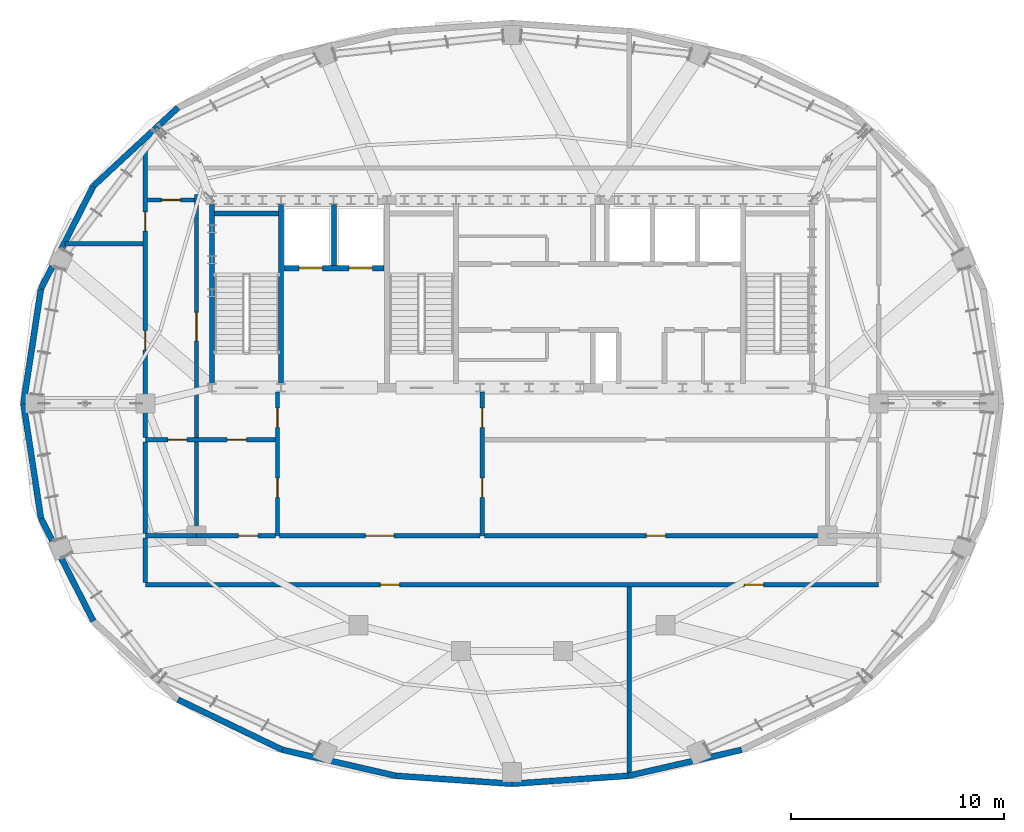
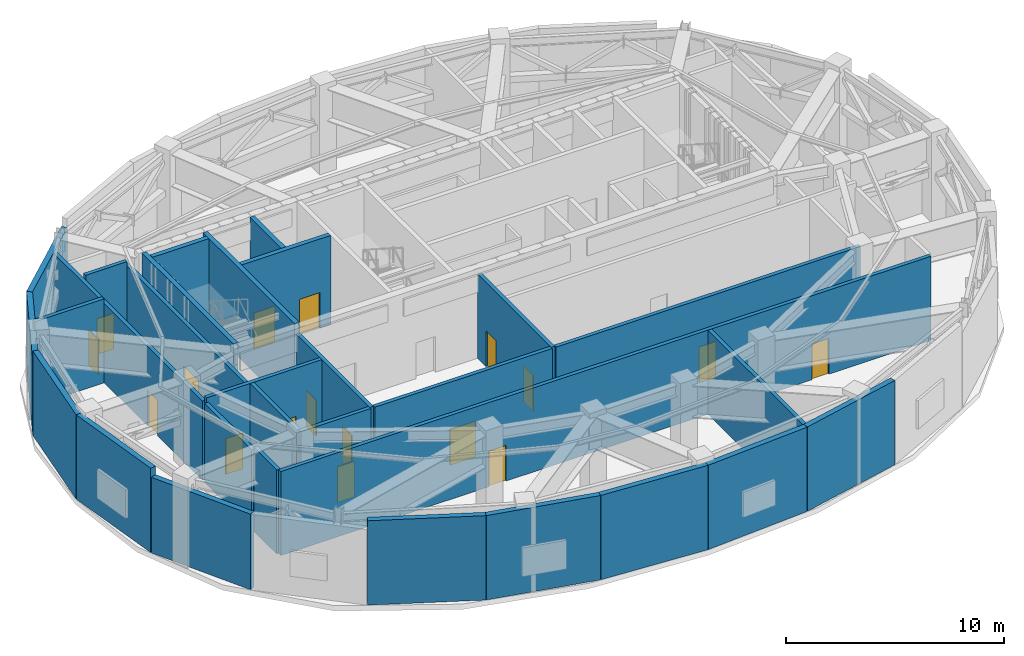
# One storey, part 10 of 15: 31 walls, 17 doors, 17 openings.
"""IFC4 building model written with IfcOpenShell, lengths in metres."""

from ifc_helpers import new_model, si_unit, direction, frame, frame_2d, origin, place, context, subcontext, project, spatial, rectangle, extrude, material, layer, layer_set, type_object, element, fill, save


model = new_model("IFC4")

# Units and contexts
model_context = context("Model", 3, precision=1e-05, world=origin(), true_north=direction((0.0, 1.0)))
body_context = subcontext(model_context, "Body", "Model", "MODEL_VIEW")
ifc_project = project(units=[si_unit("LENGTHUNIT", "METRE"), si_unit("AREAUNIT", "SQUARE_METRE"), si_unit("VOLUMEUNIT", "CUBIC_METRE"), si_unit("PLANEANGLEUNIT", "RADIAN"), si_unit("MASSUNIT", "GRAM", prefix="KILO")], contexts=[model_context])

# Site, building, storey
site_placement = place(None, origin())
site = spatial("IfcSite", under=ifc_project, at=site_placement, CompositionType="ELEMENT")
building_placement = place(site_placement, origin())
building = spatial("IfcBuilding", under=site, at=building_placement, Name="Haldorwick Loom Tower", CompositionType="ELEMENT")
storey_placement = place(building_placement, frame((0.0, 0.0, 286.5)))
storey = spatial("IfcBuildingStorey", under=building, at=storey_placement, Name="L77", CompositionType="ELEMENT", Elevation=286.5)

# Walls
ifc_material_1 = material(Name="Pressed Clay Face Brick and Insulated Masonry Backup Assembly", Category="masonry")
ifc_layer_1 = layer(ifc_material_1, 0.280029296875, Name="Pressed Clay Face Brick and Insulated Masonry Backup Assembly", Category="masonry")
ifc_layer_set_1 = layer_set([ifc_layer_1], Name="Pressed Clay Face Brick and Insulated Masonry Backup Assembly")
wall_type_1 = type_object("IfcWallType", Name="ARC-WL-EXT280", PredefinedType="STANDARD", material=ifc_layer_set_1)
for number, where, z_axis, x_axis, name in (
    (1, (20.3291015625, 39.885009765625, 0.0), (0.0, 0.0, 1.0), (-0.733156506145, -0.680059951399, 0.0), "L77 Brick Pier and Spandrel Wall 10"),
    (2, (16.361328125, 36.20458984375, 0.0), (0.0, 0.0, 1.0), (-0.454417014044, -0.890789075678, 0.0), "L77 Brick Pier and Spandrel Wall 11"),
):
    element("IfcWall", number, at=place(storey_placement, frame(where, z_axis=z_axis, x_axis=x_axis)), inside=storey, type_object=wall_type_1, Name=name, PredefinedType="STANDARD", context=body_context, shape_type="SweptSolid", body=[
        extrude(rectangle(XDim=5.411865234375, YDim=0.280029296875, at=frame_2d((2.7060546875, 0.0))), origin(), (0.0, 0.0, 1.0), 4.22900390625),
    ])
for number, where, z_axis, x_axis, name in (
    (3, (13.902099609375, 31.3837890625, 0.0), (0.0, 0.0, 1.0), (-0.151110573005, -0.988516866182, 0.0), "L77 Brick Pier and Spandrel Wall 12"),
    (4, (13.0791015625, 26.0, 0.0), (0.0, 0.0, 1.0), (0.151110573005, -0.988516866182, 0.0), "L77 Brick Pier and Spandrel Wall 13"),
):
    element("IfcWall", number, at=place(storey_placement, frame(where, z_axis=z_axis, x_axis=x_axis)), inside=storey, type_object=wall_type_1, Name=name, PredefinedType="STANDARD", context=body_context, shape_type="SweptSolid", body=[
        extrude(rectangle(XDim=5.4462890625, YDim=0.280029296875, at=frame_2d((2.72314453125, 0.0))), origin(), (0.0, 0.0, 1.0), 4.719970703125),
    ])
wall_1_placement = place(storey_placement, frame((13.902099609375, 20.6162109375, 0.0), z_axis=(0.0, 0.0, 1.0), x_axis=(0.454417014044, -0.890789075678, 0.0)))
element("IfcWall", 5, at=wall_1_placement, inside=storey, type_object=wall_type_1, Name="L77 Brick Pier and Spandrel Wall 14", PredefinedType="STANDARD", context=body_context, shape_type="SweptSolid", body=[
    extrude(rectangle(XDim=5.411865234375, YDim=0.280029296875, at=frame_2d((2.7060546875, 0.0))), origin(), (0.0, 0.0, 1.0), 4.22900390625),
])
wall_2_placement = place(storey_placement, frame((20.3291015625, 12.114990234375, 0.0), z_axis=(0.0, 0.0, 1.0), x_axis=(0.901083511605, -0.433645598518, 0.0)))
element("IfcWall", 6, at=wall_2_placement, inside=storey, type_object=wall_type_1, Name="L77 Brick Pier and Spandrel Wall 16", PredefinedType="STANDARD", context=body_context, shape_type="SweptSolid", body=[
    extrude(rectangle(XDim=5.440185546875, YDim=0.280029296875, at=frame_2d((2.72021484375, 0.0))), origin(), (0.0, 0.0, 1.0), 4.719970703125),
])
wall_3_placement = place(storey_placement, frame((25.231201171875, 9.755859375, 0.0), z_axis=(0.0, 0.0, 1.0), x_axis=(0.974769032237, -0.223215890545, 0.0)))
element("IfcWall", 7, at=wall_3_placement, inside=storey, type_object=wall_type_1, Name="L77 Brick Pier and Spandrel Wall 17", PredefinedType="STANDARD", context=body_context, shape_type="SweptSolid", body=[
    extrude(rectangle(XDim=5.457763671875, YDim=0.280029296875, at=frame_2d((2.72900390625, 0.0))), origin(), (0.0, 0.0, 1.0), 4.719970703125),
])
for number, where, z_axis, x_axis, name in (
    (8, (30.55126953125, 8.53759765625, 0.0), (0.0, 0.0, 1.0), (0.997667530395, -0.068260521503, 0.0), "L77 Brick Pier and Spandrel Wall 18"),
    (9, (36.0, 8.164794921875, 0.0), (0.0, 0.0, 1.0), (0.997667530395, 0.068260521503, 0.0), "L77 Brick Pier and Spandrel Wall 19"),
):
    element("IfcWall", number, at=place(storey_placement, frame(where, z_axis=z_axis, x_axis=x_axis)), inside=storey, type_object=wall_type_1, Name=name, PredefinedType="STANDARD", context=body_context, shape_type="SweptSolid", body=[
        extrude(rectangle(XDim=5.46142578125, YDim=0.280029296875, at=frame_2d((2.730712890625, 0.0))), origin(), (0.0, 0.0, 1.0), 4.719970703125),
    ])
wall_4_placement = place(storey_placement, frame((41.44873046875, 8.53759765625, 0.0), z_axis=(0.0, 0.0, 1.0), x_axis=(0.974769032237, 0.223215890545, 0.0)))
element("IfcWall", 10, at=wall_4_placement, inside=storey, type_object=wall_type_1, Name="L77 Brick Pier and Spandrel Wall 20", PredefinedType="STANDARD", context=body_context, shape_type="SweptSolid", body=[
    extrude(rectangle(XDim=5.457763671875, YDim=0.280029296875, at=frame_2d((2.72900390625, 0.0))), origin(), (0.0, 0.0, 1.0), 4.719970703125),
])

# Wall, openings, doors
ifc_material_2 = material(Name="Fire-Rated Type X Gypsum Stud Assembly EI 120")
ifc_layer_2 = layer(ifc_material_2, 0.199951171875, Name="Fire-Rated Type X Gypsum Stud Assembly EI 120")
ifc_layer_set_2 = layer_set([ifc_layer_2], Name="Fire-Rated Type X Gypsum Stud Assembly EI 120")
wall_type_2 = type_object("IfcWallType", Name="ARC-WL-FIRE200", PredefinedType="PARTITIONING", material=ifc_layer_set_2)
wall_5_placement = place(storey_placement, frame((25.0, 19.800048828125, 0.0), z_axis=(0.0, 0.0, 1.0), x_axis=(0.0, 1.0, 0.0)))
wall_5 = element("IfcWall", 11, at=wall_5_placement, inside=storey, type_object=wall_type_2, Name="L77 Interior Partition L77-REF-W", PredefinedType="PARTITIONING", context=body_context, shape_type="SweptSolid", body=[
    extrude(rectangle(XDim=6.7470703125, YDim=0.199951171875, at=frame_2d((3.37353515625, 0.0))), origin(), (0.0, 0.0, 1.0), 4.705078125),
])
opening_1_placement = place(wall_5_placement, frame((5.085205078125, 0.0, 0.0)))
opening_1 = element("IfcOpeningElement", 12, at=opening_1_placement, cuts=wall_5, Name="Opening D-FD60A", PredefinedType="OPENING", context=body_context, shape_type="SweptSolid", body=[
    extrude(rectangle(XDim=0.89990234375, YDim=2.0, at=frame_2d((0.449951171875, 1.0))), frame((0.0, 0.10986328125, 0.0), z_axis=(0.0, -1.0, 0.0), x_axis=(1.0, 0.0, 0.0)), (0.0, 0.0, 1.0), 0.219970703125),
])
opening_2_placement = place(wall_5_placement, frame((1.799072265625, 0.0, 0.0)))
opening_2 = element("IfcOpeningElement", 13, at=opening_2_placement, cuts=wall_5, Name="Opening D-FD60A", PredefinedType="OPENING", context=body_context, shape_type="SweptSolid", body=[
    extrude(rectangle(XDim=0.89990234375, YDim=2.0, at=frame_2d((0.449951171875, 1.0))), frame((0.0, 0.10986328125, 0.0), z_axis=(0.0, -1.0, 0.0), x_axis=(1.0, 0.0, 0.0)), (0.0, 0.0, 1.0), 0.219970703125),
])
ifc_material_3 = material(Name="Hollow Steel Fire Door Assembly", Category="steel")
door_type_1 = type_object("IfcDoorType", Name="ARC-DR-FD60-90", OperationType="NOTDEFINED", PredefinedType="DOOR", material=ifc_material_3)
door_1_placement = place(opening_1_placement, origin())
door_1 = element("IfcDoor", 14, at=door_1_placement, inside=storey, type_object=door_type_1, Name="L77 West Refuge Vestibule to Area of Refuge Door", OperationType="SINGLE_SWING_RIGHT", OverallHeight=2.0, OverallWidth=0.89990234375, PredefinedType="DOOR", context=body_context, shape_type="SweptSolid", body=[
    extrude(rectangle(XDim=0.89990234375, YDim=2.0, at=frame_2d((0.449951171875, 1.0))), frame((0.0, 0.02490234375, 0.0), z_axis=(0.0, -1.0, 0.0), x_axis=(1.0, 0.0, 0.0)), (0.0, 0.0, 1.0), 0.050048828125),
])
fill(opening_1, door_1)
door_2_placement = place(opening_2_placement, frame((0.89990234375, 0.0, 0.0), z_axis=(0.0, 0.0, 1.0), x_axis=(-1.0, 0.0, 0.0)))
door_2 = element("IfcDoor", 15, at=door_2_placement, inside=storey, type_object=door_type_1, Name="L77 Mechanical Equipment Plant 5 to Area of Refuge Door", OperationType="SINGLE_SWING_RIGHT", OverallHeight=2.0, OverallWidth=0.89990234375, PredefinedType="DOOR", context=body_context, shape_type="SweptSolid", body=[
    extrude(rectangle(XDim=0.89990234375, YDim=2.0, at=frame_2d((0.449951171875, 1.0))), frame((0.0, 0.02490234375, 0.0), z_axis=(0.0, -1.0, 0.0), x_axis=(1.0, 0.0, 0.0)), (0.0, 0.0, 1.0), 0.050048828125),
])
fill(opening_2, door_2)

wall_6_placement = place(storey_placement, frame((34.60009765625, 19.800048828125, 0.0), z_axis=(0.0, 0.0, 1.0), x_axis=(0.0, 1.0, 0.0)))
wall_6 = element("IfcWall", 16, at=wall_6_placement, inside=storey, type_object=wall_type_2, Name="L77 Interior Partition L77-REF-E", PredefinedType="PARTITIONING", context=body_context, shape_type="SweptSolid", body=[
    extrude(rectangle(XDim=6.7470703125, YDim=0.199951171875, at=frame_2d((3.37353515625, 0.0))), origin(), (0.0, 0.0, 1.0), 4.705078125),
])
opening_3_placement = place(wall_6_placement, frame((5.085205078125, 0.0, 0.0)))
opening_3 = element("IfcOpeningElement", 17, at=opening_3_placement, cuts=wall_6, Name="Opening D-FD60A", PredefinedType="OPENING", context=body_context, shape_type="SweptSolid", body=[
    extrude(rectangle(XDim=0.89990234375, YDim=2.0, at=frame_2d((0.449951171875, 1.0))), frame((0.0, 0.10986328125, 0.0), z_axis=(0.0, -1.0, 0.0), x_axis=(1.0, 0.0, 0.0)), (0.0, 0.0, 1.0), 0.219970703125),
])
opening_4_placement = place(wall_6_placement, frame((1.799072265625, 0.0, 0.0)))
opening_4 = element("IfcOpeningElement", 18, at=opening_4_placement, cuts=wall_6, Name="Opening D-FD60A", PredefinedType="OPENING", context=body_context, shape_type="SweptSolid", body=[
    extrude(rectangle(XDim=0.89990234375, YDim=2.0, at=frame_2d((0.449951171875, 1.0))), frame((0.0, 0.10986328125, 0.0), z_axis=(0.0, -1.0, 0.0), x_axis=(1.0, 0.0, 0.0)), (0.0, 0.0, 1.0), 0.219970703125),
])
door_3_placement = place(opening_3_placement, origin())
door_3 = element("IfcDoor", 19, at=door_3_placement, inside=storey, type_object=door_type_1, Name="L77 Area of Refuge to East Plant Exit Corridor Door", OperationType="SINGLE_SWING_LEFT", OverallHeight=2.0, OverallWidth=0.89990234375, PredefinedType="DOOR", context=body_context, shape_type="SweptSolid", body=[
    extrude(rectangle(XDim=0.89990234375, YDim=2.0, at=frame_2d((0.449951171875, 1.0))), frame((0.0, 0.02490234375, 0.0), z_axis=(0.0, -1.0, 0.0), x_axis=(1.0, 0.0, 0.0)), (0.0, 0.0, 1.0), 0.050048828125),
])
fill(opening_3, door_3)
door_4_placement = place(opening_4_placement, origin())
door_4 = element("IfcDoor", 20, at=door_4_placement, inside=storey, type_object=door_type_1, Name="L77 Area of Refuge to Electrical Transformer Room 6 Door", OperationType="SINGLE_SWING_LEFT", OverallHeight=2.0, OverallWidth=0.89990234375, PredefinedType="DOOR", context=body_context, shape_type="SweptSolid", body=[
    extrude(rectangle(XDim=0.89990234375, YDim=2.0, at=frame_2d((0.449951171875, 1.0))), frame((0.0, 0.02490234375, 0.0), z_axis=(0.0, -1.0, 0.0), x_axis=(1.0, 0.0, 0.0)), (0.0, 0.0, 1.0), 0.050048828125),
])
fill(opening_4, door_4)

# Wall, opening, door
wall_7_placement = place(storey_placement, frame((25.10302734375, 19.800048828125, 0.0), z_axis=(0.0, 0.0, 1.0), x_axis=(1.0, 0.0, 0.0)))
wall_7 = element("IfcWall", 21, at=wall_7_placement, inside=storey, type_object=wall_type_2, Name="L77 Interior Partition L77-REF-S", PredefinedType="PARTITIONING", context=body_context, shape_type="SweptSolid", body=[
    extrude(rectangle(XDim=9.39404296875, YDim=0.199951171875, at=frame_2d((4.697021484375, 0.0))), origin(), (0.0, 0.0, 1.0), 4.705078125),
])
opening_5_placement = place(wall_7_placement, frame((4.02197265625, 0.0, 0.0)))
opening_5 = element("IfcOpeningElement", 22, at=opening_5_placement, cuts=wall_7, Name="Opening D-CR15", PredefinedType="OPENING", context=body_context, shape_type="SweptSolid", body=[
    extrude(rectangle(XDim=1.35009765625, YDim=2.0, at=frame_2d((0.675048828125, 1.0))), frame((0.0, 0.10986328125, 0.0), z_axis=(0.0, -1.0, 0.0), x_axis=(1.0, 0.0, 0.0)), (0.0, 0.0, 1.0), 0.219970703125),
])
ifc_material_4 = material(Name="Thermally Broken Anodized Aluminium and Tempered Glass", Category="aluminium")
door_type_2 = type_object("IfcDoorType", Name="ARC-DR-COR150", OperationType="NOTDEFINED", PredefinedType="DOOR", material=ifc_material_4)
door_5_placement = place(opening_5_placement, origin())
door_5 = element("IfcDoor", 23, at=door_5_placement, inside=storey, type_object=door_type_2, Name="L77 Area of Refuge to South Plant Service Corridor Door", OperationType="DOUBLE_DOOR_SINGLE_SWING", OverallHeight=2.0, OverallWidth=1.35009765625, PredefinedType="DOOR", context=body_context, shape_type="SweptSolid", body=[
    extrude(rectangle(XDim=1.35009765625, YDim=2.0, at=frame_2d((0.675048828125, 1.0))), frame((0.0, 0.02490234375, 0.0), z_axis=(0.0, -1.0, 0.0), x_axis=(1.0, 0.0, 0.0)), (0.0, 0.0, 1.0), 0.050048828125),
])
fill(opening_5, door_5)

# Wall, openings, doors
wall_8_placement = place(storey_placement, frame((18.800048828125, 17.5, 0.0), z_axis=(0.0, 0.0, 1.0), x_axis=(1.0, 0.0, 0.0)))
wall_8 = element("IfcWall", 24, at=wall_8_placement, inside=storey, type_object=wall_type_2, Name="L77 Interior Partition L77-PC-S1", PredefinedType="PARTITIONING", context=body_context, shape_type="SweptSolid", body=[
    extrude(rectangle(XDim=34.39990234375, YDim=0.199951171875, at=frame_2d((17.199951171875, 0.0))), origin(), (0.0, 0.0, 1.0), 4.705078125),
])
opening_6_placement = place(wall_8_placement, frame((11.026123046875, 0.0, 0.0)))
opening_6 = element("IfcOpeningElement", 25, at=opening_6_placement, cuts=wall_8, Name="Opening D-FD60A", PredefinedType="OPENING", context=body_context, shape_type="SweptSolid", body=[
    extrude(rectangle(XDim=0.89990234375, YDim=2.0, at=frame_2d((0.449951171875, 1.0))), frame((0.0, 0.10986328125, 0.0), z_axis=(0.0, -1.0, 0.0), x_axis=(1.0, 0.0, 0.0)), (0.0, 0.0, 1.0), 0.219970703125),
])
opening_7_placement = place(wall_8_placement, frame((28.1064453125, 0.0, 0.0)))
opening_7 = element("IfcOpeningElement", 26, at=opening_7_placement, cuts=wall_8, Name="Opening D-FD60A", PredefinedType="OPENING", context=body_context, shape_type="SweptSolid", body=[
    extrude(rectangle(XDim=0.89990234375, YDim=2.0, at=frame_2d((0.449951171875, 1.0))), frame((0.0, 0.10986328125, 0.0), z_axis=(0.0, -1.0, 0.0), x_axis=(1.0, 0.0, 0.0)), (0.0, 0.0, 1.0), 0.219970703125),
])
door_6_placement = place(opening_6_placement, origin())
door_6 = element("IfcDoor", 27, at=door_6_placement, inside=storey, type_object=door_type_1, Name="L77 South Plant Service Corridor to Domestic Water Booster and Fire Pump", OperationType="SINGLE_SWING_RIGHT", OverallHeight=2.0, OverallWidth=0.89990234375, PredefinedType="DOOR", context=body_context, shape_type="SweptSolid", body=[
    extrude(rectangle(XDim=0.89990234375, YDim=2.0, at=frame_2d((0.449951171875, 1.0))), frame((0.0, 0.02490234375, 0.0), z_axis=(0.0, -1.0, 0.0), x_axis=(1.0, 0.0, 0.0)), (0.0, 0.0, 1.0), 0.050048828125),
])
fill(opening_6, door_6)
door_7_placement = place(opening_7_placement, origin())
door_7 = element("IfcDoor", 28, at=door_7_placement, inside=storey, type_object=door_type_1, Name="L77 South Plant Service Corridor to Air Handling Ventilation Plant Door", OperationType="SINGLE_SWING_LEFT", OverallHeight=2.0, OverallWidth=0.89990234375, PredefinedType="DOOR", context=body_context, shape_type="SweptSolid", body=[
    extrude(rectangle(XDim=0.89990234375, YDim=2.0, at=frame_2d((0.449951171875, 1.0))), frame((0.0, 0.02490234375, 0.0), z_axis=(0.0, -1.0, 0.0), x_axis=(1.0, 0.0, 0.0)), (0.0, 0.0, 1.0), 0.050048828125),
])
fill(opening_7, door_7)

wall_9_placement = place(storey_placement, frame((18.800048828125, 24.300048828125, 0.0), z_axis=(0.0, 0.0, 1.0), x_axis=(1.0, 0.0, 0.0)))
wall_9 = element("IfcWall", 29, at=wall_9_placement, inside=storey, type_object=wall_type_2, Name="L77 Interior Partition L77-PC-S3", PredefinedType="PARTITIONING", context=body_context, shape_type="SweptSolid", body=[
    extrude(rectangle(XDim=6.096923828125, YDim=0.199951171875, at=frame_2d((3.04833984375, 0.0))), origin(), (0.0, 0.0, 1.0), 4.705078125),
])
opening_8_placement = place(wall_9_placement, frame((3.840576171875, 0.0, 0.0)))
opening_8 = element("IfcOpeningElement", 30, at=opening_8_placement, cuts=wall_9, Name="Opening D-FD60A", PredefinedType="OPENING", context=body_context, shape_type="SweptSolid", body=[
    extrude(rectangle(XDim=0.89990234375, YDim=2.0, at=frame_2d((0.449951171875, 1.0))), frame((0.0, 0.10986328125, 0.0), z_axis=(0.0, -1.0, 0.0), x_axis=(1.0, 0.0, 0.0)), (0.0, 0.0, 1.0), 0.219970703125),
])
opening_9_placement = place(wall_9_placement, frame((1.058837890625, 0.0, 0.0)))
opening_9 = element("IfcOpeningElement", 31, at=opening_9_placement, cuts=wall_9, Name="Opening D-FD60A", PredefinedType="OPENING", context=body_context, shape_type="SweptSolid", body=[
    extrude(rectangle(XDim=0.89990234375, YDim=2.0, at=frame_2d((0.449951171875, 1.0))), frame((0.0, 0.10986328125, 0.0), z_axis=(0.0, -1.0, 0.0), x_axis=(1.0, 0.0, 0.0)), (0.0, 0.0, 1.0), 0.219970703125),
])
door_8_placement = place(opening_8_placement, origin())
door_8 = element("IfcDoor", 32, at=door_8_placement, inside=storey, type_object=door_type_1, Name="L77 West Refuge Vestibule to Mechanical Equipment Plant 5 Door", OperationType="SINGLE_SWING_LEFT", OverallHeight=2.0, OverallWidth=0.89990234375, PredefinedType="DOOR", context=body_context, shape_type="SweptSolid", body=[
    extrude(rectangle(XDim=0.89990234375, YDim=2.0, at=frame_2d((0.449951171875, 1.0))), frame((0.0, 0.02490234375, 0.0), z_axis=(0.0, -1.0, 0.0), x_axis=(1.0, 0.0, 0.0)), (0.0, 0.0, 1.0), 0.050048828125),
])
fill(opening_8, door_8)
door_9_placement = place(opening_9_placement, origin())
door_9 = element("IfcDoor", 33, at=door_9_placement, inside=storey, type_object=door_type_1, Name="L77 West Mechanical Corridor to Ventilation Fan Room 4 Door", OperationType="SINGLE_SWING_RIGHT", OverallHeight=2.0, OverallWidth=0.89990234375, PredefinedType="DOOR", context=body_context, shape_type="SweptSolid", body=[
    extrude(rectangle(XDim=0.89990234375, YDim=2.0, at=frame_2d((0.449951171875, 1.0))), frame((0.0, 0.02490234375, 0.0), z_axis=(0.0, -1.0, 0.0), x_axis=(1.0, 0.0, 0.0)), (0.0, 0.0, 1.0), 0.050048828125),
])
fill(opening_9, door_9)

# Wall
wall_10_placement = place(storey_placement, frame((18.800048828125, 19.800048828125, 0.0), z_axis=(0.0, 0.0, 1.0), x_axis=(1.0, 0.0, 0.0)))
element("IfcWall", 34, at=wall_10_placement, inside=storey, type_object=wall_type_2, Name="L77 Interior Partition L77-PC-S4W", PredefinedType="PARTITIONING", context=body_context, shape_type="SweptSolid", body=[
    extrude(rectangle(XDim=2.39990234375, YDim=0.199951171875, at=frame_2d((1.199951171875, 0.0))), origin(), (0.0, 0.0, 1.0), 2.89501953125),
])

# Wall, opening, door
wall_11_placement = place(storey_placement, frame((34.702880859375, 19.800048828125, 0.0), z_axis=(0.0, 0.0, 1.0), x_axis=(1.0, 0.0, 0.0)))
wall_11 = element("IfcWall", 35, at=wall_11_placement, inside=storey, type_object=wall_type_2, Name="L77 Interior Partition L77-PC-S4", PredefinedType="PARTITIONING", context=body_context, shape_type="SweptSolid", body=[
    extrude(rectangle(XDim=16.09716796875, YDim=0.199951171875, at=frame_2d((8.048583984375, 0.0))), origin(), (0.0, 0.0, 1.0), 4.705078125),
])
opening_10_placement = place(wall_11_placement, frame((7.598388671875, 0.0, 0.0)))
opening_10 = element("IfcOpeningElement", 36, at=opening_10_placement, cuts=wall_11, Name="Opening D-FD60A", PredefinedType="OPENING", context=body_context, shape_type="SweptSolid", body=[
    extrude(rectangle(XDim=0.89990234375, YDim=2.0, at=frame_2d((0.449951171875, 1.0))), frame((0.0, 0.10986328125, 0.0), z_axis=(0.0, -1.0, 0.0), x_axis=(1.0, 0.0, 0.0)), (0.0, 0.0, 1.0), 0.219970703125),
])
door_10_placement = place(opening_10_placement, frame((0.89990234375, 0.0, 0.0), z_axis=(0.0, 0.0, 1.0), x_axis=(-1.0, 0.0, 0.0)))
door_10 = element("IfcDoor", 37, at=door_10_placement, inside=storey, type_object=door_type_1, Name="L77 Electrical Transformer Room 6 to South Plant Service Corridor Door", OperationType="SINGLE_SWING_LEFT", OverallHeight=2.0, OverallWidth=0.89990234375, PredefinedType="DOOR", context=body_context, shape_type="SweptSolid", body=[
    extrude(rectangle(XDim=0.89990234375, YDim=2.0, at=frame_2d((0.449951171875, 1.0))), frame((0.0, 0.02490234375, 0.0), z_axis=(0.0, -1.0, 0.0), x_axis=(1.0, 0.0, 0.0)), (0.0, 0.0, 1.0), 0.050048828125),
])
fill(opening_10, door_10)

wall_12_placement = place(storey_placement, frame((21.199951171875, 19.800048828125, 0.0), z_axis=(0.0, 0.0, 1.0), x_axis=(1.0, 0.0, 0.0)))
wall_12 = element("IfcWall", 38, at=wall_12_placement, inside=storey, type_object=wall_type_2, Name="L77 Interior Partition L77-PC-S5", PredefinedType="PARTITIONING", context=body_context, shape_type="SweptSolid", body=[
    extrude(rectangle(XDim=3.697021484375, YDim=0.199951171875, at=frame_2d((1.8486328125, 0.0))), origin(), (0.0, 0.0, 1.0), 4.705078125),
])
opening_11_placement = place(wall_12_placement, frame((1.97314453125, 0.0, 0.0)))
opening_11 = element("IfcOpeningElement", 39, at=opening_11_placement, cuts=wall_12, Name="Opening D-FD60A", PredefinedType="OPENING", context=body_context, shape_type="SweptSolid", body=[
    extrude(rectangle(XDim=0.89990234375, YDim=2.0, at=frame_2d((0.449951171875, 1.0))), frame((0.0, 0.10986328125, 0.0), z_axis=(0.0, -1.0, 0.0), x_axis=(1.0, 0.0, 0.0)), (0.0, 0.0, 1.0), 0.219970703125),
])
door_11_placement = place(opening_11_placement, frame((0.89990234375, 0.0, 0.0), z_axis=(0.0, 0.0, 1.0), x_axis=(-1.0, 0.0, 0.0)))
door_11 = element("IfcDoor", 40, at=door_11_placement, inside=storey, type_object=door_type_1, Name="L77 Mechanical Equipment Plant 5 to South Plant Service Corridor Door", OperationType="SINGLE_SWING_RIGHT", OverallHeight=2.0, OverallWidth=0.89990234375, PredefinedType="DOOR", context=body_context, shape_type="SweptSolid", body=[
    extrude(rectangle(XDim=0.89990234375, YDim=2.0, at=frame_2d((0.449951171875, 1.0))), frame((0.0, 0.02490234375, 0.0), z_axis=(0.0, -1.0, 0.0), x_axis=(1.0, 0.0, 0.0)), (0.0, 0.0, 1.0), 0.050048828125),
])
fill(opening_11, door_11)

# Walls
wall_13_placement = place(storey_placement, frame((18.800048828125, 17.60302734375, 0.0), z_axis=(0.0, 0.0, 1.0), x_axis=(0.0, 1.0, 0.0)))
element("IfcWall", 41, at=wall_13_placement, inside=storey, type_object=wall_type_2, Name="L77 Interior Partition L77-PC-W1", PredefinedType="PARTITIONING", context=body_context, shape_type="SweptSolid", body=[
    extrude(rectangle(XDim=2.093994140625, YDim=0.199951171875, at=frame_2d((1.046875, 0.0))), origin(), (0.0, 0.0, 1.0), 4.705078125),
])
wall_14_placement = place(storey_placement, frame((18.800048828125, 19.903076171875, 0.0), z_axis=(0.0, 0.0, 1.0), x_axis=(0.0, 1.0, 0.0)))
element("IfcWall", 42, at=wall_14_placement, inside=storey, type_object=wall_type_2, Name="L77 Interior Partition L77-PC-W1", PredefinedType="PARTITIONING", context=body_context, shape_type="SweptSolid", body=[
    extrude(rectangle(XDim=4.2939453125, YDim=0.199951171875, at=frame_2d((2.14697265625, 0.0))), origin(), (0.0, 0.0, 1.0), 4.43701171875),
])

# Wall, openings, doors
wall_15_placement = place(storey_placement, frame((18.800048828125, 24.403076171875, 0.0), z_axis=(0.0, 0.0, 1.0), x_axis=(0.0, 1.0, 0.0)))
wall_15 = element("IfcWall", 43, at=wall_15_placement, inside=storey, type_object=wall_type_2, Name="L77 Interior Partition L77-PC-W1", PredefinedType="PARTITIONING", context=body_context, shape_type="SweptSolid", body=[
    extrude(rectangle(XDim=13.596923828125, YDim=0.199951171875, at=frame_2d((6.79833984375, 0.0))), origin(), (0.0, 0.0, 1.0), 4.43701171875),
])
opening_12_placement = place(wall_15_placement, frame((4.119384765625, 0.0, 0.0)))
opening_12 = element("IfcOpeningElement", 44, at=opening_12_placement, cuts=wall_15, Name="Opening D-FD60A", PredefinedType="OPENING", context=body_context, shape_type="SweptSolid", body=[
    extrude(rectangle(XDim=0.89990234375, YDim=2.0, at=frame_2d((0.449951171875, 1.0))), frame((0.0, 0.10986328125, 0.0), z_axis=(0.0, -1.0, 0.0), x_axis=(1.0, 0.0, 0.0)), (0.0, 0.0, 1.0), 0.219970703125),
])
opening_13_placement = place(wall_15_placement, frame((9.69189453125, 0.0, 0.0)))
opening_13 = element("IfcOpeningElement", 45, at=opening_13_placement, cuts=wall_15, Name="Opening D-FD60A", PredefinedType="OPENING", context=body_context, shape_type="SweptSolid", body=[
    extrude(rectangle(XDim=0.89990234375, YDim=2.0, at=frame_2d((0.449951171875, 1.0))), frame((0.0, 0.10986328125, 0.0), z_axis=(0.0, -1.0, 0.0), x_axis=(1.0, 0.0, 0.0)), (0.0, 0.0, 1.0), 0.219970703125),
])
door_12_placement = place(opening_12_placement, origin())
door_12 = element("IfcDoor", 46, at=door_12_placement, inside=storey, type_object=door_type_1, Name="L77 Domestic Water Booster and Fire Pump Room to West Mechanical Corrido", OperationType="SINGLE_SWING_RIGHT", OverallHeight=2.0, OverallWidth=0.89990234375, PredefinedType="DOOR", context=body_context, shape_type="SweptSolid", body=[
    extrude(rectangle(XDim=0.89990234375, YDim=2.0, at=frame_2d((0.449951171875, 1.0))), frame((0.0, 0.02490234375, 0.0), z_axis=(0.0, -1.0, 0.0), x_axis=(1.0, 0.0, 0.0)), (0.0, 0.0, 1.0), 0.050048828125),
])
fill(opening_12, door_12)
door_13_placement = place(opening_13_placement, origin())
door_13 = element("IfcDoor", 47, at=door_13_placement, inside=storey, type_object=door_type_1, Name="L77 Building Automation and Telecom Plant to West Mechanical Corridor Do", OperationType="SINGLE_SWING_RIGHT", OverallHeight=2.0, OverallWidth=0.89990234375, PredefinedType="DOOR", context=body_context, shape_type="SweptSolid", body=[
    extrude(rectangle(XDim=0.89990234375, YDim=2.0, at=frame_2d((0.449951171875, 1.0))), frame((0.0, 0.02490234375, 0.0), z_axis=(0.0, -1.0, 0.0), x_axis=(1.0, 0.0, 0.0)), (0.0, 0.0, 1.0), 0.050048828125),
])
fill(opening_13, door_13)

# Wall
wall_16_placement = place(storey_placement, frame((21.199951171875, 19.903076171875, 0.0), z_axis=(0.0, 0.0, 1.0), x_axis=(0.0, 1.0, 0.0)))
element("IfcWall", 48, at=wall_16_placement, inside=storey, type_object=wall_type_2, Name="L77 Interior Partition L77-PC-W2", PredefinedType="PARTITIONING", context=body_context, shape_type="SweptSolid", body=[
    extrude(rectangle(XDim=4.2939453125, YDim=0.199951171875, at=frame_2d((2.14697265625, 0.0))), origin(), (0.0, 0.0, 1.0), 4.705078125),
])

# Wall, opening, door
wall_17_placement = place(storey_placement, frame((21.199951171875, 24.403076171875, 0.0), z_axis=(0.0, 0.0, 1.0), x_axis=(0.0, 1.0, 0.0)))
wall_17 = element("IfcWall", 49, at=wall_17_placement, inside=storey, type_object=wall_type_2, Name="L77 Interior Partition L77-PC-W2", PredefinedType="PARTITIONING", context=body_context, shape_type="SweptSolid", body=[
    extrude(rectangle(XDim=11.39697265625, YDim=0.199951171875, at=frame_2d((5.698486328125, 0.0))), origin(), (0.0, 0.0, 1.0), 4.43701171875),
])
opening_14_placement = place(wall_17_placement, frame((4.529296875, 0.0, 0.0)))
opening_14 = element("IfcOpeningElement", 50, at=opening_14_placement, cuts=wall_17, Name="Opening D-CR15", PredefinedType="OPENING", context=body_context, shape_type="SweptSolid", body=[
    extrude(rectangle(XDim=1.35009765625, YDim=2.0, at=frame_2d((0.675048828125, 1.0))), frame((0.0, 0.10986328125, 0.0), z_axis=(0.0, -1.0, 0.0), x_axis=(1.0, 0.0, 0.0)), (0.0, 0.0, 1.0), 0.219970703125),
])
door_14_placement = place(opening_14_placement, origin())
door_14 = element("IfcDoor", 51, at=door_14_placement, inside=storey, type_object=door_type_2, Name="L77 West Mechanical Corridor to West Refuge Vestibule Door", OperationType="DOUBLE_DOOR_SINGLE_SWING", OverallHeight=2.0, OverallWidth=1.35009765625, PredefinedType="DOOR", context=body_context, shape_type="SweptSolid", body=[
    extrude(rectangle(XDim=1.35009765625, YDim=2.0, at=frame_2d((0.675048828125, 1.0))), frame((0.0, 0.02490234375, 0.0), z_axis=(0.0, -1.0, 0.0), x_axis=(1.0, 0.0, 0.0)), (0.0, 0.0, 1.0), 0.050048828125),
])
fill(opening_14, door_14)

wall_18_placement = place(storey_placement, frame((18.903076171875, 35.550048828125, 0.0), z_axis=(0.0, 0.0, 1.0), x_axis=(1.0, 0.0, 0.0)))
wall_18 = element("IfcWall", 52, at=wall_18_placement, inside=storey, type_object=wall_type_2, Name="L77 Interior Partition L77-PC-WN", PredefinedType="PARTITIONING", context=body_context, shape_type="SweptSolid", body=[
    extrude(rectangle(XDim=2.19384765625, YDim=0.199951171875, at=frame_2d((1.096923828125, 0.0))), origin(), (0.0, 0.0, 1.0), 4.705078125),
])
opening_15_placement = place(wall_18_placement, frame((0.64697265625, 0.0, 0.0)))
opening_15 = element("IfcOpeningElement", 53, at=opening_15_placement, cuts=wall_18, Name="Opening D-FD60A", PredefinedType="OPENING", context=body_context, shape_type="SweptSolid", body=[
    extrude(rectangle(XDim=0.89990234375, YDim=2.0, at=frame_2d((0.449951171875, 1.0))), frame((0.0, 0.10986328125, 0.0), z_axis=(0.0, -1.0, 0.0), x_axis=(1.0, 0.0, 0.0)), (0.0, 0.0, 1.0), 0.219970703125),
])
door_15_placement = place(opening_15_placement, origin())
door_15 = element("IfcDoor", 54, at=door_15_placement, inside=storey, type_object=door_type_1, Name="L77 North Mechanical Corridor to West Mechanical Corridor Door", OperationType="SINGLE_SWING_RIGHT", OverallHeight=2.0, OverallWidth=0.89990234375, PredefinedType="DOOR", context=body_context, shape_type="SweptSolid", body=[
    extrude(rectangle(XDim=0.89990234375, YDim=2.0, at=frame_2d((0.449951171875, 1.0))), frame((0.0, 0.02490234375, 0.0), z_axis=(0.0, -1.0, 0.0), x_axis=(1.0, 0.0, 0.0)), (0.0, 0.0, 1.0), 0.050048828125),
])
fill(opening_15, door_15)

# Walls
wall_19_placement = place(storey_placement, frame((41.5, 8.595458984375, 0.0), z_axis=(0.0, 0.0, 1.0), x_axis=(0.0, 1.0, 0.0)))
element("IfcWall", 55, at=wall_19_placement, inside=storey, type_object=wall_type_2, Name="L77 Interior Partition L77-PL-S", PredefinedType="PARTITIONING", context=body_context, shape_type="SweptSolid", body=[
    extrude(rectangle(XDim=8.801513671875, YDim=0.199951171875, at=frame_2d((4.40087890625, 0.0))), origin(), (0.0, 0.0, 1.0), 4.705078125),
])
wall_20_placement = place(storey_placement, frame((15.0322265625, 33.5, 0.0), z_axis=(0.0, 0.0, 1.0), x_axis=(1.0, 0.0, 0.0)))
element("IfcWall", 56, at=wall_20_placement, inside=storey, type_object=wall_type_2, Name="L77 Interior Partition L77-PL-W", PredefinedType="PARTITIONING", context=body_context, shape_type="SweptSolid", body=[
    extrude(rectangle(XDim=3.664794921875, YDim=0.199951171875, at=frame_2d((1.83251953125, 0.0))), origin(), (0.0, 0.0, 1.0), 4.705078125),
])
ifc_material_5 = material(Name="Concrete C50 (50 MPa)", Category="concrete")
ifc_layer_3 = layer(ifc_material_5, 0.239990234375, Name="Concrete C50 (50 MPa)", Category="concrete")
ifc_layer_set_3 = layer_set([ifc_layer_3], Name="Concrete C50 (50 MPa)")
wall_type_3 = type_object("IfcWallType", Name="STR-WL-SHAFT240", PredefinedType="SHEAR", material=ifc_layer_set_3)
for number, where, z_axis, x_axis, name in (
    (57, (21.929931640625, 35.346923828125, 0.0), (0.0, 0.0, 1.0), (0.0, -1.0, 0.0), "L77 Core Shear Wall W"),
    (58, (25.169921875, 26.952880859375, 0.0), (0.0, 0.0, 1.0), (0.0, 1.0, 0.0), "L77 Core Shear Wall 1"),
):
    element("IfcWall", number, at=place(storey_placement, frame(where, z_axis=z_axis, x_axis=x_axis)), inside=storey, type_object=wall_type_3, Name=name, PredefinedType="SHEAR", context=body_context, shape_type="SweptSolid", body=[
        extrude(rectangle(XDim=8.39404296875, YDim=0.239990234375, at=frame_2d((4.197021484375, 0.0))), origin(), (0.0, 0.0, 1.0), 5.0),
    ])
wall_21_placement = place(storey_placement, frame((22.052978515625, 34.919921875, 0.0), z_axis=(0.0, 0.0, 1.0), x_axis=(1.0, 0.0, 0.0)))
element("IfcWall", 59, at=wall_21_placement, inside=storey, type_object=wall_type_3, Name="L77 Core Shear Wall 1N", PredefinedType="SHEAR", context=body_context, shape_type="SweptSolid", body=[
    extrude(rectangle(XDim=2.994140625, YDim=0.239990234375, at=frame_2d((1.4970703125, 0.0))), origin(), (0.0, 0.0, 1.0), 5.0),
])

# Wall, openings, doors
wall_22_placement = place(storey_placement, frame((25.29296875, 32.35009765625, 0.0), z_axis=(0.0, 0.0, 1.0), x_axis=(1.0, 0.0, 0.0)))
wall_22 = element("IfcWall", 60, at=wall_22_placement, inside=storey, type_object=wall_type_3, Name="L77 Core Shear Wall FF", PredefinedType="SHEAR", context=body_context, shape_type="SweptSolid", body=[
    extrude(rectangle(XDim=4.714111328125, YDim=0.239990234375, at=frame_2d((2.35693359375, 0.0))), origin(), (0.0, 0.0, 1.0), 5.0),
])
opening_16_placement = place(wall_22_placement, frame((0.70703125, 0.0, 0.0)))
opening_16 = element("IfcOpeningElement", 61, at=opening_16_placement, cuts=wall_22, Name="Opening LD-FF1", PredefinedType="OPENING", context=body_context, shape_type="SweptSolid", body=[
    extrude(rectangle(XDim=1.10009765625, YDim=2.0, at=frame_2d((0.550048828125, 1.0))), frame((0.0, 0.1298828125, 0.0), z_axis=(0.0, -1.0, 0.0), x_axis=(1.0, 0.0, 0.0)), (0.0, 0.0, 1.0), 0.260009765625),
])
opening_17_placement = place(wall_22_placement, frame((3.056884765625, 0.0, 0.0)))
opening_17 = element("IfcOpeningElement", 62, at=opening_17_placement, cuts=wall_22, Name="Opening LD-FF2", PredefinedType="OPENING", context=body_context, shape_type="SweptSolid", body=[
    extrude(rectangle(XDim=1.10009765625, YDim=2.0, at=frame_2d((0.550048828125, 1.0))), frame((0.0, 0.1298828125, 0.0), z_axis=(0.0, -1.0, 0.0), x_axis=(1.0, 0.0, 0.0)), (0.0, 0.0, 1.0), 0.260009765625),
])
door_type_3 = type_object("IfcDoorType", Name="ARC-DR-LD-FF", OperationType="NOTDEFINED", PredefinedType="USERDEFINED", material=ifc_material_3)
door_16_placement = place(opening_16_placement, origin())
door_16 = element("IfcDoor", 63, at=door_16_placement, inside=storey, type_object=door_type_3, Name="L77 Lift LF-FF1 Sliding Landing Door", ObjectType="LANDING DOOR", OperationType="DOUBLE_DOOR_SLIDING", OverallHeight=2.0, OverallWidth=1.10009765625, PredefinedType="USERDEFINED", context=body_context, shape_type="SweptSolid", body=[
    extrude(rectangle(XDim=1.10009765625, YDim=2.0, at=frame_2d((0.550048828125, 1.0))), frame((0.0, 0.02490234375, 0.0), z_axis=(0.0, -1.0, 0.0), x_axis=(1.0, 0.0, 0.0)), (0.0, 0.0, 1.0), 0.050048828125),
])
fill(opening_16, door_16)
door_17_placement = place(opening_17_placement, origin())
door_17 = element("IfcDoor", 64, at=door_17_placement, inside=storey, type_object=door_type_3, Name="L77 Lift LF-FF2 Sliding Landing Door", ObjectType="LANDING DOOR", OperationType="DOUBLE_DOOR_SLIDING", OverallHeight=2.0, OverallWidth=1.10009765625, PredefinedType="USERDEFINED", context=body_context, shape_type="SweptSolid", body=[
    extrude(rectangle(XDim=1.10009765625, YDim=2.0, at=frame_2d((0.550048828125, 1.0))), frame((0.0, 0.02490234375, 0.0), z_axis=(0.0, -1.0, 0.0), x_axis=(1.0, 0.0, 0.0)), (0.0, 0.0, 1.0), 0.050048828125),
])
fill(opening_17, door_17)

# Wall
wall_23_placement = place(storey_placement, frame((27.64990234375, 32.472900390625, 0.0), z_axis=(0.0, 0.0, 1.0), x_axis=(0.0, 1.0, 0.0)))
element("IfcWall", 65, at=wall_23_placement, inside=storey, type_object=wall_type_3, Name="L77 Core Shear Wall FFD", PredefinedType="SHEAR", context=body_context, shape_type="SweptSolid", body=[
    extrude(rectangle(XDim=2.8740234375, YDim=0.239990234375, at=frame_2d((1.43701171875, 0.0))), origin(), (0.0, 0.0, 1.0), 5.0),
])

save(model, "model.ifc")
